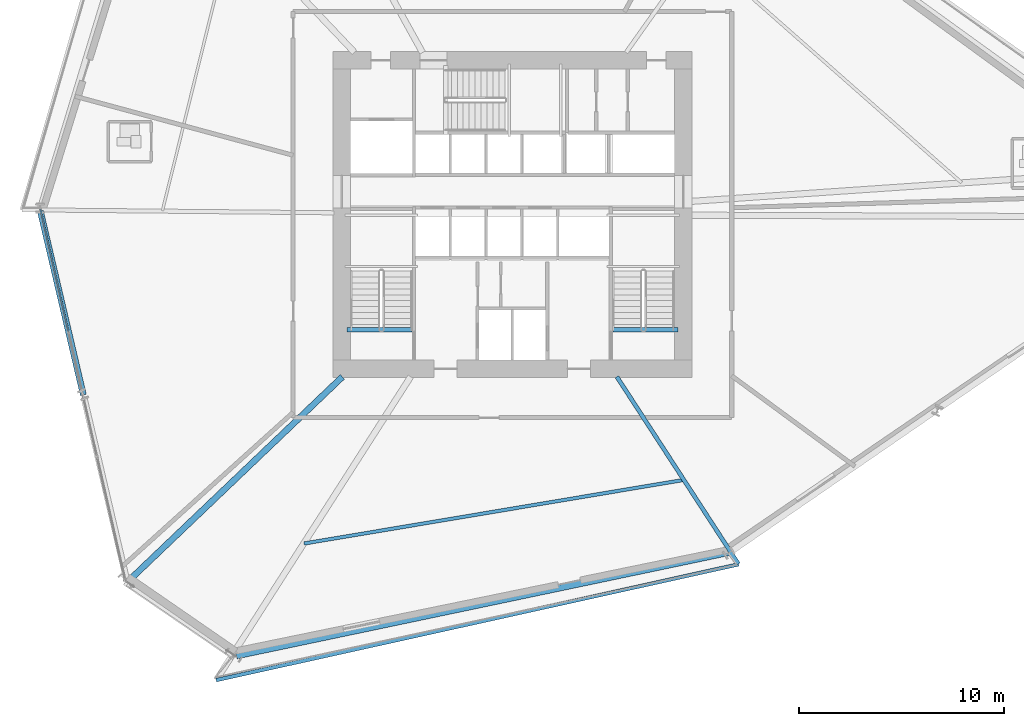
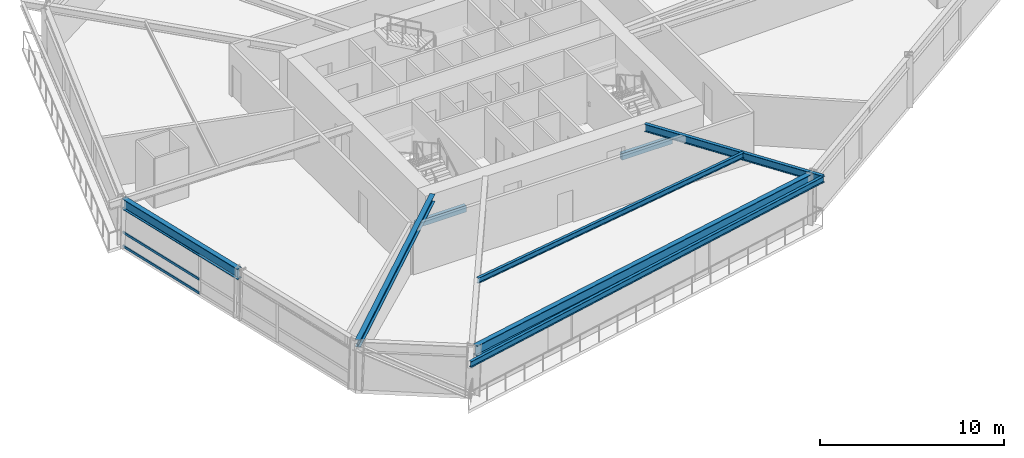
# One storey, part 5 of 23: 8 beams, 3 members, 1 element without a shape of its own.
"""IFC4 building model written with IfcOpenShell, lengths in metres."""

from ifc_helpers import new_model, si_unit, direction, frame, origin, origin_2d, place, context, subcontext, project, spatial, rectangle, hollow_rectangle, i_section, extrude, source, transform, mapped, material, material_profile, profile_set, type_object, element, aggregate, save


model = new_model("IFC4")

# Units and contexts
model_context = context("Model", 3, precision=1e-05, world=origin(), true_north=direction((0.0, 1.0)))
body_context = subcontext(model_context, "Body", "Model", "MODEL_VIEW")
ifc_project = project(units=[si_unit("LENGTHUNIT", "METRE"), si_unit("AREAUNIT", "SQUARE_METRE"), si_unit("VOLUMEUNIT", "CUBIC_METRE"), si_unit("PLANEANGLEUNIT", "RADIAN"), si_unit("MASSUNIT", "GRAM", prefix="KILO")], contexts=[model_context])

# Site, building, storey
site_placement = place(None, origin())
site = spatial("IfcSite", under=ifc_project, at=site_placement, CompositionType="ELEMENT")
building_placement = place(site_placement, origin())
building = spatial("IfcBuilding", under=site, at=building_placement, Name="Olszyna Solenne Hotel", CompositionType="ELEMENT")
storey_placement = place(building_placement, frame((0.0, 0.0, 32.85009765625)))
storey = spatial("IfcBuildingStorey", under=building, at=storey_placement, Name="L07", CompositionType="ELEMENT", Elevation=32.85009765625)

# Beams
ifc_material_1 = material(Name="Steel S355J2", Category="steel")
ifc_material_profile_1 = material_profile(ifc_material_1, i_section(OverallWidth=0.300048828125, OverallDepth=0.699951171875, WebThickness=0.01708984375, FlangeThickness=0.031982421875, at=origin_2d()), Name="HEB 700", Category="load-bearing")
ifc_profile_set_1 = profile_set([ifc_material_profile_1], Name="Steel S355J2")
beam_type_1 = type_object("IfcBeamType", Name="BM-S1", PredefinedType="BEAM", material=ifc_profile_set_1)
shared_shape_1 = source(origin(), body_context, "Body", "SweptSolid", [
    extrude(i_section(OverallWidth=0.300048828125, OverallDepth=0.699951171875, WebThickness=0.01708984375, FlangeThickness=0.031982421875, at=origin_2d()), origin(), (0.0, 0.0, 1.0), 9.209228515625),
])
beam_1_placement = place(storey_placement, frame((14.969482421875, 26.77490234375, 2.949951171875), z_axis=(0.227780186743, -0.973712579013, 0.0), x_axis=(0.973712579013, 0.227780186743, 0.0)))
element("IfcBeam", 1, at=beam_1_placement, inside=storey, type_object=beam_type_1, Name="Perimeter spandrel beam BM-S1 B-L07-0237", PredefinedType="BEAM", context=body_context, shape_type="MappedRepresentation", body=[
    mapped(shared_shape_1, transform((0.0, 0.0, 0.0), x_axis=(1.0, 0.0, 0.0), y_axis=(0.0, 1.0, 0.0), z_axis=(0.0, 0.0, 1.0), scale=1.0)),
])
shared_shape_2 = source(origin(), body_context, "Body", "SweptSolid", [
    extrude(i_section(OverallWidth=0.300048828125, OverallDepth=0.699951171875, WebThickness=0.01708984375, FlangeThickness=0.031982421875, at=origin_2d()), origin(), (0.0, 0.0, 1.0), 24.53857421875),
])
beam_2_placement = place(storey_placement, frame((24.538330078125, 5.073974609375, 2.949951171875), z_axis=(0.978662800733, 0.205472923913, 0.0), x_axis=(-0.205472923913, 0.978662800733, 0.0)))
element("IfcBeam", 2, at=beam_2_placement, inside=storey, type_object=beam_type_1, Name="Perimeter spandrel beam BM-S1 B-L07-0240", PredefinedType="BEAM", context=body_context, shape_type="MappedRepresentation", body=[
    mapped(shared_shape_2, transform((0.0, 0.0, 0.0), x_axis=(1.0, 0.0, 0.0), y_axis=(0.0, 1.0, 0.0), z_axis=(0.0, 0.0, 1.0), scale=1.0)),
])
ifc_material_profile_2 = material_profile(ifc_material_1, i_section(OverallWidth=0.179931640625, OverallDepth=0.39990234375, WebThickness=0.008544921875, FlangeThickness=0.013427734375, at=origin_2d()), Name="IPE 400", Category="load-bearing")
ifc_profile_set_2 = profile_set([ifc_material_profile_2], Name="Steel S355J2")
beam_type_2 = type_object("IfcBeamType", Name="BM-F5", PredefinedType="BEAM", material=ifc_profile_set_2)
shared_shape_3 = source(origin(), body_context, "Body", "SweptSolid", [
    extrude(i_section(OverallWidth=0.179931640625, OverallDepth=0.39990234375, WebThickness=0.008544921875, FlangeThickness=0.013427734375, at=origin_2d()), origin(), (0.0, 0.0, 1.0), 26.105712890625),
])
beam_3_placement = place(storey_placement, frame((23.55029296875, 3.892822265625, 3.099853515625), z_axis=(0.976320224198, 0.216330348824, 0.0), x_axis=(-0.216330348824, 0.976320224198, 0.0)))
element("IfcBeam", 3, at=beam_3_placement, inside=storey, type_object=beam_type_2, Name="Loggia outer edge beam BM-F5 B-L07-0259", PredefinedType="BEAM", context=body_context, shape_type="MappedRepresentation", body=[
    mapped(shared_shape_3, transform((0.0, 0.0, 0.0), x_axis=(1.0, 0.0, 0.0), y_axis=(0.0, 1.0, 0.0), z_axis=(0.0, 0.0, 1.0), scale=1.0)),
])
ifc_material_profile_3 = material_profile(ifc_material_1, i_section(OverallWidth=0.300048828125, OverallDepth=0.489990234375, WebThickness=0.011962890625, FlangeThickness=0.02294921875, at=origin_2d()), Name="HEA 500", Category="load-bearing")
ifc_profile_set_3 = profile_set([ifc_material_profile_3], Name="Steel S355J2")
beam_type_3 = type_object("IfcBeamType", Name="BM-G1", PredefinedType="BEAM", material=ifc_profile_set_3)
shared_shape_4 = source(origin(), body_context, "Body", "SweptSolid", [
    extrude(i_section(OverallWidth=0.300048828125, OverallDepth=0.489990234375, WebThickness=0.011962890625, FlangeThickness=0.02294921875, at=origin_2d()), origin(), (0.0, 0.0, 1.0), 14.4521484375),
])
beam_4_placement = place(storey_placement, frame((19.249267578125, 8.707275390625, 3.054931640625), z_axis=(0.72345985248, 0.690366454754, 0.0), x_axis=(-0.690366454754, 0.72345985248, 0.0)))
element("IfcBeam", 4, at=beam_4_placement, inside=storey, type_object=beam_type_3, Name="Radial floor girder BM-G1 B-L07-0249", PredefinedType="BEAM", context=body_context, shape_type="MappedRepresentation", body=[
    mapped(shared_shape_4, transform((0.0, 0.0, 0.0), x_axis=(1.0, 0.0, 0.0), y_axis=(0.0, 1.0, 0.0), z_axis=(0.0, 0.0, 1.0), scale=1.0)),
])
ifc_material_profile_4 = material_profile(ifc_material_1, i_section(OverallWidth=0.199951171875, OverallDepth=0.5, WebThickness=0.01025390625, FlangeThickness=0.01611328125, at=origin_2d()), Name="IPE 500", Category="load-bearing")
ifc_profile_set_4 = profile_set([ifc_material_profile_4], Name="Steel S355J2")
beam_type_4 = type_object("IfcBeamType", Name="BM-F3", PredefinedType="BEAM", material=ifc_profile_set_4)
shared_shape_5 = source(origin(), body_context, "Body", "SweptSolid", [
    extrude(i_section(OverallWidth=0.199951171875, OverallDepth=0.5, WebThickness=0.01025390625, FlangeThickness=0.01611328125, at=origin_2d()), origin(), (0.0, 0.0, 1.0), 10.89208984375),
])
beam_5_placement = place(storey_placement, frame((49.027099609375, 9.55712890625, 3.0498046875), z_axis=(-0.544651103477, 0.838662730471, 0.0), x_axis=(-0.838662730471, -0.544651103477, 0.0)))
element("IfcBeam", 5, at=beam_5_placement, inside=storey, type_object=beam_type_4, Name="Radial floor girder BM-F3 B-L07-0251", PredefinedType="BEAM", context=body_context, shape_type="MappedRepresentation", body=[
    mapped(shared_shape_5, transform((0.0, 0.0, 0.0), x_axis=(1.0, 0.0, 0.0), y_axis=(0.0, 1.0, 0.0), z_axis=(0.0, 0.0, 1.0), scale=1.0)),
])
ifc_material_profile_5 = material_profile(ifc_material_1, i_section(OverallWidth=0.169921875, OverallDepth=0.360107421875, WebThickness=0.008056640625, FlangeThickness=0.0126953125, at=origin_2d()), Name="IPE 360", Category="load-bearing")
ifc_profile_set_5 = profile_set([ifc_material_profile_5], Name="Steel S355J2")
beam_type_5 = type_object("IfcBeamType", Name="JS-01", PredefinedType="JOIST", material=ifc_profile_set_5)
shared_shape_6 = source(origin(), body_context, "Body", "SweptSolid", [
    extrude(i_section(OverallWidth=0.169921875, OverallDepth=0.360107421875, WebThickness=0.008056640625, FlangeThickness=0.0126953125, at=origin_2d()), origin(), (0.0, 0.0, 1.0), 18.762939453125),
])
beam_6_placement = place(storey_placement, frame((27.838623046875, 10.555908203125, 3.119873046875), z_axis=(0.986262435895, 0.165185978649, 0.0), x_axis=(-0.165185978649, 0.986262435895, 0.0)))
element("IfcBeam", 6, at=beam_6_placement, inside=storey, type_object=beam_type_5, Name="Secondary composite floor joist JS-01 B-L07-0256", PredefinedType="JOIST", context=body_context, shape_type="MappedRepresentation", body=[
    mapped(shared_shape_6, transform((0.0, 0.0, 0.0), x_axis=(1.0, 0.0, 0.0), y_axis=(0.0, 1.0, 0.0), z_axis=(0.0, 0.0, 1.0), scale=1.0)),
])

# Curtain wall, members
ifc_material_2 = material(Name="Anodised bronze aluminium", Category="aluminium")
curtain_wall_type = type_object("IfcCurtainWallType", Name="CW-SYS-2", PredefinedType="NOTDEFINED", material=ifc_material_2)
curtain_wall_placement = place(storey_placement, origin())
curtain_wall = element("IfcCurtainWall", 7, at=curtain_wall_placement, inside=storey, type_object=curtain_wall_type, Name="Unitised curtain wall CW-SYS-2 CW-L07-01", PredefinedType="NOTDEFINED")
ifc_material_profile_6 = material_profile(ifc_material_2, hollow_rectangle(XDim=0.074951171875, YDim=0.159912109375, WallThickness=0.00390625, at=origin_2d()), Name="TRAN 160x75x4", Category="load-bearing")
ifc_profile_set_6 = profile_set([ifc_material_profile_6], Name="Anodised bronze aluminium")
member_type = type_object("IfcMemberType", Name="CW-T1", PredefinedType="USERDEFINED", material=ifc_profile_set_6)
shared_shape_7 = source(origin(), body_context, "Body", "SweptSolid", [
    extrude(hollow_rectangle(XDim=0.074951171875, YDim=0.159912109375, WallThickness=0.00390625, at=origin_2d()), origin(), (0.0, 0.0, 1.0), 6.106689453125),
])
member_1_placement = place(storey_placement, frame((14.973876953125, 26.860595703125, 0.037353515625), z_axis=(0.223524926622, -0.974698213386, 0.0), x_axis=(0.974698213386, 0.223524926622, 0.0)))
member_1 = element("IfcMember", 8, at=member_1_placement, type_object=member_type, Name="Curtain-wall transom CW-T1 CT-L07-01-01", ObjectType="TRANSOM", PredefinedType="USERDEFINED", context=body_context, shape_type="MappedRepresentation", body=[
    mapped(shared_shape_7, transform((0.0, 0.0, 0.0), x_axis=(1.0, 0.0, 0.0), y_axis=(0.0, 1.0, 0.0), z_axis=(0.0, 0.0, 1.0), scale=1.0)),
])
member_2_placement = place(storey_placement, frame((14.973876953125, 26.860595703125, 0.949951171875), z_axis=(0.223524926622, -0.974698213386, 0.0), x_axis=(0.974698213386, 0.223524926622, 0.0)))
member_2 = element("IfcMember", 9, at=member_2_placement, type_object=member_type, Name="Curtain-wall transom CW-T1 CT-L07-01-02", ObjectType="TRANSOM", PredefinedType="USERDEFINED", context=body_context, shape_type="MappedRepresentation", body=[
    mapped(shared_shape_7, transform((0.0, 0.0, 0.0), x_axis=(1.0, 0.0, 0.0), y_axis=(0.0, 1.0, 0.0), z_axis=(0.0, 0.0, 1.0), scale=1.0)),
])
member_3_placement = place(storey_placement, frame((14.973876953125, 26.860595703125, 2.554443359375), z_axis=(0.223524926622, -0.974698213386, 0.0), x_axis=(0.974698213386, 0.223524926622, 0.0)))
member_3 = element("IfcMember", 10, at=member_3_placement, type_object=member_type, Name="Curtain-wall transom CW-T1 CT-L07-01-03", ObjectType="TRANSOM", PredefinedType="USERDEFINED", context=body_context, shape_type="MappedRepresentation", body=[
    mapped(shared_shape_7, transform((0.0, 0.0, 0.0), x_axis=(1.0, 0.0, 0.0), y_axis=(0.0, 1.0, 0.0), z_axis=(0.0, 0.0, 1.0), scale=1.0)),
])
aggregate(curtain_wall, [member_1, member_2, member_3])

# Beams
ifc_material_3 = material(Name="Concrete C50/60", Category="concrete")
ifc_material_profile_7 = material_profile(ifc_material_3, rectangle(XDim=0.219970703125, YDim=0.43994140625, at=origin_2d()), Name="RC 220x440", Category="load-bearing")
ifc_profile_set_7 = profile_set([ifc_material_profile_7], Name="Concrete C50/60")
beam_type_6 = type_object("IfcBeamType", Name="BM-ST1", PredefinedType="BEAM", material=ifc_profile_set_7)
shared_shape_8 = source(origin(), body_context, "Body", "SweptSolid", [
    extrude(rectangle(XDim=0.219970703125, YDim=0.43994140625, at=origin_2d()), origin(), (0.0, 0.0, 1.0), 3.18017578125),
])
for number, where, z_axis, x_axis, name in (
    (11, (33.10009765625, 20.97998046875, -0.205078125), (-1.0, 0.0, 0.0), (0.0, -1.0, 0.0), "Concrete stair trimmer beam BM-ST1 SHB-ST1-0169"),
    (12, (46.080078125, 20.97998046875, -0.205078125), (-1.0, 0.0, 0.0), (0.0, -1.0, 0.0), "Concrete stair trimmer beam BM-ST1 SHB-ST2-0409"),
):
    element("IfcBeam", number, at=place(storey_placement, frame(where, z_axis=z_axis, x_axis=x_axis)), inside=storey, type_object=beam_type_6, Name=name, PredefinedType="BEAM", context=body_context, shape_type="MappedRepresentation", body=[
        mapped(shared_shape_8, transform((0.0, 0.0, 0.0), x_axis=(1.0, 0.0, 0.0), y_axis=(0.0, 1.0, 0.0), z_axis=(0.0, 0.0, 1.0), scale=1.0)),
    ])

save(model, "model.ifc")
